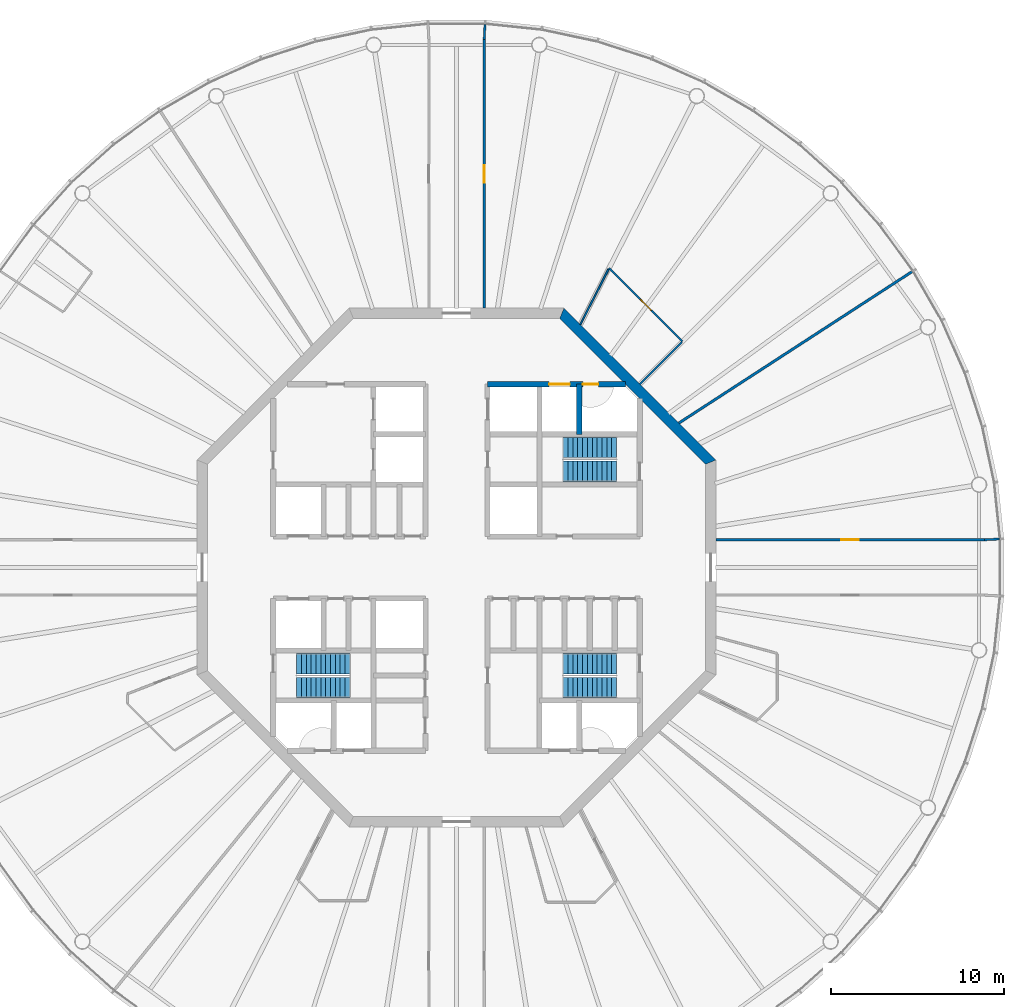
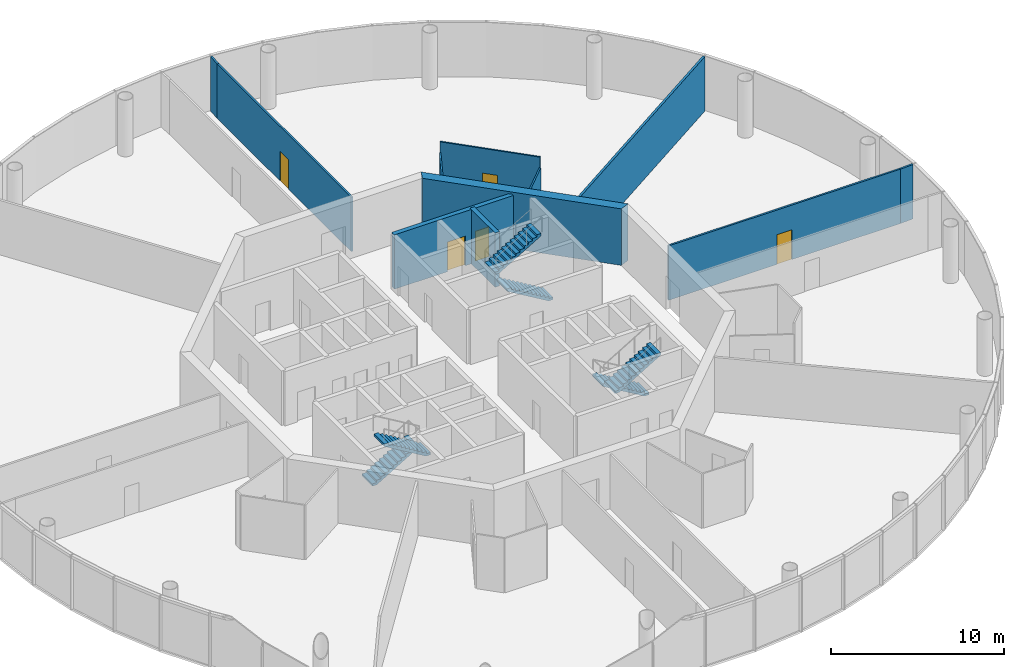
# One storey, part 6 of 13: 11 walls, 6 stair flights, 5 doors, 5 openings, 3 elements without a shape of their own.
"""IFC4 building model written with IfcOpenShell, lengths in metres."""

from ifc_helpers import new_model, si_unit, direction, frame, frame_2d, origin, place, context, subcontext, project, spatial, polyline, rectangle, outline, extrude, material, layer, layer_set, type_object, element, fill, aggregate, save


model = new_model("IFC4")

# Units and contexts
model_context = context("Model", 3, precision=1e-05, world=origin(), true_north=direction((0.0, 1.0)))
body_context = subcontext(model_context, "Body", "Model", "MODEL_VIEW")
ifc_project = project(units=[si_unit("LENGTHUNIT", "METRE"), si_unit("AREAUNIT", "SQUARE_METRE"), si_unit("VOLUMEUNIT", "CUBIC_METRE"), si_unit("PLANEANGLEUNIT", "RADIAN"), si_unit("MASSUNIT", "GRAM", prefix="KILO")], contexts=[model_context])

# Site, building, storey
site_placement = place(None, origin())
site = spatial("IfcSite", under=ifc_project, at=site_placement, CompositionType="ELEMENT")
building_placement = place(site_placement, origin())
building = spatial("IfcBuilding", under=site, at=building_placement, Name="Entoto Ring Tower", CompositionType="ELEMENT")
storey_placement = place(building_placement, frame((0.0, 0.0, 364.0)))
storey = spatial("IfcBuildingStorey", under=building, at=storey_placement, Name="L84", CompositionType="ELEMENT", Elevation=364.0)

# Wall
ifc_material_1 = material(Name="Concrete C40/50", Category="concrete")
ifc_layer_1 = layer(ifc_material_1, 0.300048828125)
ifc_layer_set_1 = layer_set([ifc_layer_1], Name="Concrete C40/50")
wall_type_1 = type_object("IfcWallType", Name="Core enclosure wall 300 mm reinforced concrete", PredefinedType="SOLIDWALL", material=ifc_layer_set_1)
wall_1_placement = place(storey_placement, frame((97.10009765625, 87.699951171875, 0.0), z_axis=(0.0, 0.0, 1.0), x_axis=(0.0, 1.0, 0.0)))
element("IfcWall", 1, at=wall_1_placement, inside=storey, type_object=wall_type_1, Name="wall-L84-006", PredefinedType="SOLIDWALL", context=body_context, shape_type="SweptSolid", body=[
    extrude(rectangle(XDim=2.900146484375, YDim=0.300048828125, at=frame_2d((1.4501953125, 0.0))), origin(), (0.0, 0.0, 1.0), 3.85009765625),
])

# Wall, openings, doors
wall_2_placement = place(storey_placement, frame((91.800048828125, 90.60009765625, 0.0), z_axis=(0.0, 0.0, 1.0), x_axis=(1.0, 0.0, 0.0)))
wall_2 = element("IfcWall", 2, at=wall_2_placement, inside=storey, type_object=wall_type_1, Name="wall-L84-041", PredefinedType="SOLIDWALL", context=body_context, shape_type="SweptSolid", body=[
    extrude(rectangle(XDim=7.964599609375, YDim=0.300048828125, at=frame_2d((3.982421875, 0.0))), origin(), (0.0, 0.0, 1.0), 3.85009765625),
])
opening_1_placement = place(wall_2_placement, frame((3.550048828125, 0.0, 0.0)))
opening_1 = element("IfcOpeningElement", 3, at=opening_1_placement, cuts=wall_2, Name="Opening LD", PredefinedType="OPENING", context=body_context, shape_type="SweptSolid", body=[
    extrude(rectangle(XDim=1.199951171875, YDim=2.10009765625, at=frame_2d((0.60009765625, 1.050048828125))), frame((0.0, 0.16015625, 0.0), z_axis=(0.0, -1.0, 0.0), x_axis=(1.0, 0.0, 0.0)), (0.0, 0.0, 1.0), 0.320068359375),
])
opening_2_placement = place(wall_2_placement, frame((5.5, 0.0, 0.0)))
opening_2 = element("IfcOpeningElement", 4, at=opening_2_placement, cuts=wall_2, Name="Opening K-32", PredefinedType="OPENING", context=body_context, shape_type="SweptSolid", body=[
    extrude(rectangle(XDim=0.89990234375, YDim=2.10009765625, at=frame_2d((0.449951171875, 1.050048828125))), frame((0.0, 0.16015625, 0.0), z_axis=(0.0, -1.0, 0.0), x_axis=(1.0, 0.0, 0.0)), (0.0, 0.0, 1.0), 0.320068359375),
])
ifc_material_2 = material(Name="Steel and glass door leaf", Category="steel")
ifc_layer_2 = layer(ifc_material_2, 0.050048828125)
ifc_layer_set_2 = layer_set([ifc_layer_2], Name="Steel and glass door leaf")
door_type_1 = type_object("IfcDoorType", Name="Landing door 1200 x 2100 sliding", OperationType="DOUBLE_DOOR_SLIDING", PredefinedType="DOOR", material=ifc_layer_set_2)
door_1_placement = place(opening_1_placement, origin())
door_1 = element("IfcDoor", 5, at=door_1_placement, inside=storey, type_object=door_type_1, Name="Landing door LB1-HR", OperationType="SLIDING_TO_RIGHT", OverallHeight=2.10009765625, OverallWidth=1.199951171875, PredefinedType="DOOR", context=body_context, shape_type="SweptSolid", body=[
    extrude(rectangle(XDim=1.199951171875, YDim=2.10009765625, at=frame_2d((0.60009765625, 1.050048828125))), frame((0.0, 0.02490234375, 0.0), z_axis=(0.0, -1.0, 0.0), x_axis=(1.0, 0.0, 0.0)), (0.0, 0.0, 1.0), 0.050048828125),
])
fill(opening_1, door_1)
ifc_material_3 = material(Name="Steel door leaf, fire rated", Category="steel")
ifc_layer_3 = layer(ifc_material_3, 0.050048828125)
ifc_layer_set_3 = layer_set([ifc_layer_3], Name="Steel door leaf, fire rated")
door_type_2 = type_object("IfcDoorType", Name="Riser door FD60 900 x 2100 single leaf", OperationType="NOTDEFINED", PredefinedType="DOOR", material=ifc_layer_set_3)
door_2_placement = place(opening_2_placement, frame((0.89990234375, 0.0, 0.0), z_axis=(0.0, 0.0, 1.0), x_axis=(-1.0, 0.0, 0.0)))
door_2 = element("IfcDoor", 6, at=door_2_placement, inside=storey, type_object=door_type_2, Name="Door K-32", OperationType="SINGLE_SWING_RIGHT", OverallHeight=2.10009765625, OverallWidth=0.89990234375, PredefinedType="DOOR", context=body_context, shape_type="SweptSolid", body=[
    extrude(rectangle(XDim=0.89990234375, YDim=2.10009765625, at=frame_2d((0.449951171875, 1.050048828125))), frame((0.0, 0.02490234375, 0.0), z_axis=(0.0, -1.0, 0.0), x_axis=(1.0, 0.0, 0.0)), (0.0, 0.0, 1.0), 0.050048828125),
])
fill(opening_2, door_2)

# Wall
ifc_material_4 = material(Name="Concrete C40/50", Category="concrete")
ifc_layer_4 = layer(ifc_material_4, 0.60009765625)
ifc_layer_set_4 = layer_set([ifc_layer_4], Name="Concrete C40/50")
wall_type_2 = type_object("IfcWallType", Name="Core shear wall 600 mm reinforced concrete C40/50", PredefinedType="SHEAR", material=ifc_layer_set_4)
wall_3_placement = place(storey_placement, frame((104.699951171875, 86.0888671875, 0.0), z_axis=(0.0, 0.0, 1.0), x_axis=(-0.707106781187, 0.707106781187, 0.0)))
element("IfcWall", 7, at=wall_3_placement, inside=storey, type_object=wall_type_2, Name="wall-L84-core-1", PredefinedType="SHEAR", context=body_context, shape_type="SweptSolid", body=[
    extrude(outline(polyline([(-0.124267578125, -0.300048828125), (12.30224609375, -0.300048828125), (12.0537109375, 0.300048828125), (0.124267578125, 0.300048828125), (-0.124267578125, -0.300048828125)])), origin(), (0.0, 0.0, 1.0), 4.0),
])

# Wall, opening, door
ifc_material_5 = material(Name="Fire-resisting plasterboard on steel studs", Category="steel")
ifc_layer_5 = layer(ifc_material_5, 0.125)
ifc_layer_set_5 = layer_set([ifc_layer_5], Name="Fire-resisting plasterboard on steel studs")
wall_type_3 = type_object("IfcWallType", Name="Corridor wall 125 mm one-hour plasterboard on steel studs", PredefinedType="PARTITIONING", material=ifc_layer_set_5)
wall_4_placement = place(storey_placement, frame((91.60009765625, 95.0, 0.0), z_axis=(0.0, 0.0, 1.0), x_axis=(0.0, 1.0, 0.0)))
wall_4 = element("IfcWall", 8, at=wall_4_placement, inside=storey, type_object=wall_type_3, Name="partition-L84-006", PredefinedType="PARTITIONING", context=body_context, shape_type="SweptSolid", body=[
    extrude(rectangle(XDim=15.52978515625, YDim=0.125, at=frame_2d((7.764892578125, 0.0))), origin(), (0.0, 0.0, 1.0), 3.85009765625),
])
opening_3_placement = place(wall_4_placement, frame((7.264892578125, 0.0, 0.0)))
opening_3 = element("IfcOpeningElement", 9, at=opening_3_placement, cuts=wall_4, Name="Opening A36-D02", PredefinedType="OPENING", context=body_context, shape_type="SweptSolid", body=[
    extrude(rectangle(XDim=1.0, YDim=2.10009765625, at=frame_2d((0.5, 1.050048828125))), frame((0.0, 0.072509765625, 0.0), z_axis=(0.0, -1.0, 0.0), x_axis=(1.0, 0.0, 0.0)), (0.0, 0.0, 1.0), 0.14501953125),
])
ifc_material_6 = material(Name="Fire-resisting timber door set", Category="wood")
door_type_3 = type_object("IfcDoorType", Name="Door 1000 x 2100 single leaf FD30S fire door", OperationType="NOTDEFINED", PredefinedType="DOOR", material=ifc_material_6)
door_3_placement = place(opening_3_placement, frame((1.0, 0.0, 0.0), z_axis=(0.0, 0.0, 1.0), x_axis=(-1.0, 0.0, 0.0)))
door_3 = element("IfcDoor", 10, at=door_3_placement, inside=storey, type_object=door_type_3, Name="Door A36-D02", OperationType="SINGLE_SWING_RIGHT", OverallHeight=2.10009765625, OverallWidth=1.0, PredefinedType="DOOR", context=body_context, shape_type="SweptSolid", body=[
    extrude(rectangle(XDim=1.0, YDim=2.10009765625, at=frame_2d((0.5, 1.050048828125))), frame((0.0, 0.02490234375, 0.0), z_axis=(0.0, -1.0, 0.0), x_axis=(1.0, 0.0, 0.0)), (0.0, 0.0, 1.0), 0.050048828125),
])
fill(opening_3, door_3)

wall_5_placement = place(storey_placement, frame((105.0, 81.60009765625, 0.0), z_axis=(0.0, 0.0, 1.0), x_axis=(1.0, 0.0, 0.0)))
wall_5 = element("IfcWall", 11, at=wall_5_placement, inside=storey, type_object=wall_type_3, Name="partition-L84-008", PredefinedType="PARTITIONING", context=body_context, shape_type="SweptSolid", body=[
    extrude(rectangle(XDim=15.52978515625, YDim=0.125, at=frame_2d((7.764892578125, 0.0))), origin(), (0.0, 0.0, 1.0), 3.85009765625),
])
opening_4_placement = place(wall_5_placement, frame((7.264892578125, 0.0, 0.0)))
opening_4 = element("IfcOpeningElement", 12, at=opening_4_placement, cuts=wall_5, Name="Opening A36-D01", PredefinedType="OPENING", context=body_context, shape_type="SweptSolid", body=[
    extrude(rectangle(XDim=1.0, YDim=2.10009765625, at=frame_2d((0.5, 1.050048828125))), frame((0.0, 0.072509765625, 0.0), z_axis=(0.0, -1.0, 0.0), x_axis=(1.0, 0.0, 0.0)), (0.0, 0.0, 1.0), 0.14501953125),
])
door_4_placement = place(opening_4_placement, origin())
door_4 = element("IfcDoor", 13, at=door_4_placement, inside=storey, type_object=door_type_3, Name="Door A36-D01", OperationType="SINGLE_SWING_LEFT", OverallHeight=2.10009765625, OverallWidth=1.0, PredefinedType="DOOR", context=body_context, shape_type="SweptSolid", body=[
    extrude(rectangle(XDim=1.0, YDim=2.10009765625, at=frame_2d((0.5, 1.050048828125))), frame((0.0, 0.02490234375, 0.0), z_axis=(0.0, -1.0, 0.0), x_axis=(1.0, 0.0, 0.0)), (0.0, 0.0, 1.0), 0.050048828125),
])
fill(opening_4, door_4)

# Walls
for number, where, z_axis, x_axis, name in (
    (14, (91.60009765625, 110.533203125, 0.0), (0.0, 0.0, 1.0), (0.052499574911, 0.998620946423, 0.0), "partition-L84-013"),
    (15, (120.533203125, 81.60009765625, 0.0), (0.0, 0.0, 1.0), (0.998620946423, 0.052499574911, 0.0), "partition-L84-015"),
):
    element("IfcWall", number, at=place(storey_placement, frame(where, z_axis=z_axis, x_axis=x_axis)), inside=storey, type_object=wall_type_3, Name=name, PredefinedType="PARTITIONING", context=body_context, shape_type="SweptSolid", body=[
        extrude(rectangle(XDim=0.864990234375, YDim=0.125, at=frame_2d((0.4326171875, 0.0))), origin(), (0.0, 0.0, 1.0), 3.85009765625),
    ])

# Wall, opening, door
ifc_material_7 = material(Name="Plasterboard on steel studs", Category="steel")
ifc_layer_6 = layer(ifc_material_7, 0.10009765625)
ifc_layer_set_6 = layer_set([ifc_layer_6], Name="Plasterboard on steel studs")
wall_type_4 = type_object("IfcWallType", Name="Partition 100 mm plasterboard on steel studs", PredefinedType="PARTITIONING", material=ifc_layer_set_6)
wall_6_placement = place(storey_placement, frame((103.0673828125, 93.0673828125, 0.0), z_axis=(0.0, 0.0, 1.0), x_axis=(-0.707106781187, 0.707106781187, 0.0)))
wall_6 = element("IfcWall", 16, at=wall_6_placement, inside=storey, type_object=wall_type_4, Name="partition-L84-021", PredefinedType="PARTITIONING", context=body_context, shape_type="SweptSolid", body=[
    extrude(rectangle(XDim=6.004638671875, YDim=0.10009765625, at=frame_2d((3.00244140625, 0.0))), origin(), (0.0, 0.0, 1.0), 3.85009765625),
])
opening_5_placement = place(wall_6_placement, frame((2.55224609375, 0.0, 0.0)))
opening_5 = element("IfcOpeningElement", 17, at=opening_5_placement, cuts=wall_6, Name="Opening A36-D03", PredefinedType="OPENING", context=body_context, shape_type="SweptSolid", body=[
    extrude(rectangle(XDim=0.89990234375, YDim=2.10009765625, at=frame_2d((0.449951171875, 1.050048828125))), frame((0.0, 0.06005859375, 0.0), z_axis=(0.0, -1.0, 0.0), x_axis=(1.0, 0.0, 0.0)), (0.0, 0.0, 1.0), 0.1201171875),
])
ifc_material_8 = material(Name="Veneered timber door leaf in timber frame", Category="wood")
door_type_4 = type_object("IfcDoorType", Name="Door 900 x 2100 single leaf timber veneer", OperationType="NOTDEFINED", PredefinedType="DOOR", material=ifc_material_8)
door_5_placement = place(opening_5_placement, origin())
door_5 = element("IfcDoor", 18, at=door_5_placement, inside=storey, type_object=door_type_4, Name="Door A36-D03", OperationType="SINGLE_SWING_RIGHT", OverallHeight=2.10009765625, OverallWidth=0.89990234375, PredefinedType="DOOR", context=body_context, shape_type="SweptSolid", body=[
    extrude(rectangle(XDim=0.89990234375, YDim=2.10009765625, at=frame_2d((0.449951171875, 1.050048828125))), frame((0.0, 0.02490234375, 0.0), z_axis=(0.0, -1.0, 0.0), x_axis=(1.0, 0.0, 0.0)), (0.0, 0.0, 1.0), 0.050048828125),
])
fill(opening_5, door_5)

# Walls
ifc_material_9 = material(Name="Plasterboard on steel studs", Category="steel")
ifc_layer_7 = layer(ifc_material_9, 0.10009765625)
ifc_layer_set_7 = layer_set([ifc_layer_7], Name="Plasterboard on steel studs")
wall_type_5 = type_object("IfcWallType", Name="Partition 100 mm plasterboard on steel studs, 3097 mm high", PredefinedType="PARTITIONING", material=ifc_layer_set_7)
wall_7_placement = place(storey_placement, frame((97.160400390625, 94.052978515625, 0.0), z_axis=(0.0, 0.0, 1.0), x_axis=(0.453973658127, 0.891015105218, 0.0)))
element("IfcWall", 19, at=wall_7_placement, inside=storey, type_object=wall_type_5, Name="partition-L84-033", PredefinedType="PARTITIONING", context=body_context, shape_type="SweptSolid", body=[
    extrude(rectangle(XDim=3.59033203125, YDim=0.10009765625, at=frame_2d((1.795166015625, 0.0))), origin(), (0.0, 0.0, 1.0), 3.096923828125),
])
wall_8_placement = place(storey_placement, frame((100.606689453125, 90.606689453125, 0.0), z_axis=(0.0, 0.0, 1.0), x_axis=(0.707106781187, 0.707106781187, 0.0)))
element("IfcWall", 20, at=wall_8_placement, inside=storey, type_object=wall_type_5, Name="partition-L84-034", PredefinedType="PARTITIONING", context=body_context, shape_type="SweptSolid", body=[
    extrude(rectangle(XDim=3.429931640625, YDim=0.10009765625, at=frame_2d((1.71484375, 0.0))), origin(), (0.0, 0.0, 1.0), 3.096923828125),
])
ifc_material_10 = material(Name="Fire-resisting acoustic plasterboard on steel studs", Category="steel")
ifc_layer_8 = layer(ifc_material_10, 0.14990234375)
ifc_layer_set_8 = layer_set([ifc_layer_8], Name="Fire-resisting acoustic plasterboard on steel studs")
wall_type_6 = type_object("IfcWallType", Name="Party wall 150 mm one-hour acoustic plasterboard on steel studs", PredefinedType="PARTITIONING", material=ifc_layer_set_8)
wall_9_placement = place(storey_placement, frame((102.861083984375, 88.35205078125, 0.0), z_axis=(0.0, 0.0, 1.0), x_axis=(0.838669360937, 0.54464089364, 0.0)))
element("IfcWall", 21, at=wall_9_placement, inside=storey, type_object=wall_type_6, Name="partition-L84-020", PredefinedType="PARTITIONING", context=body_context, shape_type="SweptSolid", body=[
    extrude(rectangle(XDim=16.10498046875, YDim=0.14990234375, at=frame_2d((8.052490234375, 0.0))), origin(), (0.0, 0.0, 1.0), 3.85009765625),
])

# Stair, stair flights
ifc_material_11 = material(Name="Concrete C40/50", Category="concrete")
stair_type = type_object("IfcStairType", Name="Exit stair 1200 mm dog-leg reinforced concrete", PredefinedType="HALF_TURN_STAIR", material=ifc_material_11)
stair_1_placement = place(storey_placement, origin())
stair_1 = element("IfcStair", 22, at=stair_1_placement, inside=storey, type_object=stair_type, Name="Exit stair 1", PredefinedType="HALF_TURN_STAIR")
ifc_material_12 = material(Name="Concrete C40/50", Category="concrete")
stair_flight_type = type_object("IfcStairFlightType", Name="Stair flight 1200 mm reinforced concrete", PredefinedType="STRAIGHT", material=ifc_material_12)
stair_flight_1_placement = place(storey_placement, frame((99.25, 85.550048828125, 0.0), z_axis=(0.0, 0.0, 1.0), x_axis=(-1.0, 0.0, 0.0)))
stair_flight_1 = element("IfcStairFlight", 23, at=stair_flight_1_placement, type_object=stair_flight_type, Name="ST1 flight 1", NumberOfRisers=12, NumberOfTreads=11, PredefinedType="STRAIGHT", RiserHeight=0.166666667, TreadLength=0.28, context=body_context, shape_type="SweptSolid", body=[
    extrude(outline(polyline([(0.0, 0.0), (0.0, 0.166748046875), (0.280029296875, 0.166748046875), (0.280029296875, 0.333251953125), (0.56005859375, 0.333251953125), (0.56005859375, 0.5), (0.840087890625, 0.5), (0.840087890625, 0.666748046875), (1.1201171875, 0.666748046875), (1.1201171875, 0.833251953125), (1.39990234375, 0.833251953125), (1.39990234375, 1.0), (1.679931640625, 1.0), (1.679931640625, 1.166748046875), (1.9599609375, 1.166748046875), (1.9599609375, 1.333251953125), (2.239990234375, 1.333251953125), (2.239990234375, 1.5), (2.52001953125, 1.5), (2.52001953125, 1.666748046875), (2.800048828125, 1.666748046875), (2.800048828125, 1.833251953125), (3.080078125, 1.833251953125), (3.080078125, 2.0), (3.080078125, 1.658935546875), (0.29296875, 0.0), (0.0, 0.0)])), frame((0.0, 0.60009765625, 0.0), z_axis=(0.0, -1.0, 0.0), x_axis=(1.0, 0.0, 0.0)), (0.0, 0.0, 1.0), 1.199951171875),
])
stair_flight_2_placement = place(storey_placement, frame((96.169921875, 86.949951171875, 2.0), z_axis=(0.0, 0.0, 1.0), x_axis=(1.0, 0.0, 0.0)))
stair_flight_2 = element("IfcStairFlight", 24, at=stair_flight_2_placement, type_object=stair_flight_type, Name="ST1 flight 2", NumberOfRisers=12, NumberOfTreads=11, PredefinedType="STRAIGHT", RiserHeight=0.166666667, TreadLength=0.28, context=body_context, shape_type="SweptSolid", body=[
    extrude(outline(polyline([(0.0, 0.0), (0.0, 0.166748046875), (0.280029296875, 0.166748046875), (0.280029296875, 0.333251953125), (0.56005859375, 0.333251953125), (0.56005859375, 0.5), (0.840087890625, 0.5), (0.840087890625, 0.666748046875), (1.1201171875, 0.666748046875), (1.1201171875, 0.833251953125), (1.39990234375, 0.833251953125), (1.39990234375, 1.0), (1.679931640625, 1.0), (1.679931640625, 1.166748046875), (1.9599609375, 1.166748046875), (1.9599609375, 1.333251953125), (2.239990234375, 1.333251953125), (2.239990234375, 1.5), (2.52001953125, 1.5), (2.52001953125, 1.666748046875), (2.800048828125, 1.666748046875), (2.800048828125, 1.833251953125), (3.080078125, 1.833251953125), (3.080078125, 2.0), (3.080078125, 1.658935546875), (0.29296875, 0.0), (0.0, 0.0)])), frame((0.0, 0.60009765625, 0.0), z_axis=(0.0, -1.0, 0.0), x_axis=(1.0, 0.0, 0.0)), (0.0, 0.0, 1.0), 1.199951171875),
])
aggregate(stair_1, [stair_flight_1, stair_flight_2])

stair_2_placement = place(storey_placement, origin())
stair_2 = element("IfcStair", 25, at=stair_2_placement, inside=storey, type_object=stair_type, Name="Exit stair 2", PredefinedType="HALF_TURN_STAIR")
stair_flight_3_placement = place(storey_placement, frame((80.75, 74.449951171875, 0.0), z_axis=(0.0, 0.0, 1.0), x_axis=(1.0, 0.0, 0.0)))
stair_flight_3 = element("IfcStairFlight", 26, at=stair_flight_3_placement, type_object=stair_flight_type, Name="ST2 flight 1", NumberOfRisers=12, NumberOfTreads=11, PredefinedType="STRAIGHT", RiserHeight=0.166666667, TreadLength=0.28, context=body_context, shape_type="SweptSolid", body=[
    extrude(outline(polyline([(0.0, 0.0), (0.0, 0.166748046875), (0.280029296875, 0.166748046875), (0.280029296875, 0.333251953125), (0.56005859375, 0.333251953125), (0.56005859375, 0.5), (0.840087890625, 0.5), (0.840087890625, 0.666748046875), (1.1201171875, 0.666748046875), (1.1201171875, 0.833251953125), (1.39990234375, 0.833251953125), (1.39990234375, 1.0), (1.679931640625, 1.0), (1.679931640625, 1.166748046875), (1.9599609375, 1.166748046875), (1.9599609375, 1.333251953125), (2.239990234375, 1.333251953125), (2.239990234375, 1.5), (2.52001953125, 1.5), (2.52001953125, 1.666748046875), (2.800048828125, 1.666748046875), (2.800048828125, 1.833251953125), (3.080078125, 1.833251953125), (3.080078125, 2.0), (3.080078125, 1.658935546875), (0.29296875, 0.0), (0.0, 0.0)])), frame((0.0, 0.60009765625, 0.0), z_axis=(0.0, -1.0, 0.0), x_axis=(1.0, 0.0, 0.0)), (0.0, 0.0, 1.0), 1.199951171875),
])
stair_flight_4_placement = place(storey_placement, frame((83.830078125, 73.050048828125, 2.0), z_axis=(0.0, 0.0, 1.0), x_axis=(-1.0, 0.0, 0.0)))
stair_flight_4 = element("IfcStairFlight", 27, at=stair_flight_4_placement, type_object=stair_flight_type, Name="ST2 flight 2", NumberOfRisers=12, NumberOfTreads=11, PredefinedType="STRAIGHT", RiserHeight=0.166666667, TreadLength=0.28, context=body_context, shape_type="SweptSolid", body=[
    extrude(outline(polyline([(0.0, 0.0), (0.0, 0.166748046875), (0.280029296875, 0.166748046875), (0.280029296875, 0.333251953125), (0.56005859375, 0.333251953125), (0.56005859375, 0.5), (0.840087890625, 0.5), (0.840087890625, 0.666748046875), (1.1201171875, 0.666748046875), (1.1201171875, 0.833251953125), (1.39990234375, 0.833251953125), (1.39990234375, 1.0), (1.679931640625, 1.0), (1.679931640625, 1.166748046875), (1.9599609375, 1.166748046875), (1.9599609375, 1.333251953125), (2.239990234375, 1.333251953125), (2.239990234375, 1.5), (2.52001953125, 1.5), (2.52001953125, 1.666748046875), (2.800048828125, 1.666748046875), (2.800048828125, 1.833251953125), (3.080078125, 1.833251953125), (3.080078125, 2.0), (3.080078125, 1.658935546875), (0.29296875, 0.0), (0.0, 0.0)])), frame((0.0, 0.60009765625, 0.0), z_axis=(0.0, -1.0, 0.0), x_axis=(1.0, 0.0, 0.0)), (0.0, 0.0, 1.0), 1.199951171875),
])
aggregate(stair_2, [stair_flight_3, stair_flight_4])

stair_3_placement = place(storey_placement, origin())
stair_3 = element("IfcStair", 28, at=stair_3_placement, inside=storey, type_object=stair_type, Name="Exit stair 3", PredefinedType="HALF_TURN_STAIR")
stair_flight_5_placement = place(storey_placement, frame((99.25, 74.449951171875, 0.0), z_axis=(0.0, 0.0, 1.0), x_axis=(-1.0, 0.0, 0.0)))
stair_flight_5 = element("IfcStairFlight", 29, at=stair_flight_5_placement, type_object=stair_flight_type, Name="ST3 flight 1", NumberOfRisers=12, NumberOfTreads=11, PredefinedType="STRAIGHT", RiserHeight=0.166666667, TreadLength=0.28, context=body_context, shape_type="SweptSolid", body=[
    extrude(outline(polyline([(0.0, 0.0), (0.0, 0.166748046875), (0.280029296875, 0.166748046875), (0.280029296875, 0.333251953125), (0.56005859375, 0.333251953125), (0.56005859375, 0.5), (0.840087890625, 0.5), (0.840087890625, 0.666748046875), (1.1201171875, 0.666748046875), (1.1201171875, 0.833251953125), (1.39990234375, 0.833251953125), (1.39990234375, 1.0), (1.679931640625, 1.0), (1.679931640625, 1.166748046875), (1.9599609375, 1.166748046875), (1.9599609375, 1.333251953125), (2.239990234375, 1.333251953125), (2.239990234375, 1.5), (2.52001953125, 1.5), (2.52001953125, 1.666748046875), (2.800048828125, 1.666748046875), (2.800048828125, 1.833251953125), (3.080078125, 1.833251953125), (3.080078125, 2.0), (3.080078125, 1.658935546875), (0.29296875, 0.0), (0.0, 0.0)])), frame((0.0, 0.60009765625, 0.0), z_axis=(0.0, -1.0, 0.0), x_axis=(1.0, 0.0, 0.0)), (0.0, 0.0, 1.0), 1.199951171875),
])
stair_flight_6_placement = place(storey_placement, frame((96.169921875, 73.050048828125, 2.0), z_axis=(0.0, 0.0, 1.0), x_axis=(1.0, 0.0, 0.0)))
stair_flight_6 = element("IfcStairFlight", 30, at=stair_flight_6_placement, type_object=stair_flight_type, Name="ST3 flight 2", NumberOfRisers=12, NumberOfTreads=11, PredefinedType="STRAIGHT", RiserHeight=0.166666667, TreadLength=0.28, context=body_context, shape_type="SweptSolid", body=[
    extrude(outline(polyline([(0.0, 0.0), (0.0, 0.166748046875), (0.280029296875, 0.166748046875), (0.280029296875, 0.333251953125), (0.56005859375, 0.333251953125), (0.56005859375, 0.5), (0.840087890625, 0.5), (0.840087890625, 0.666748046875), (1.1201171875, 0.666748046875), (1.1201171875, 0.833251953125), (1.39990234375, 0.833251953125), (1.39990234375, 1.0), (1.679931640625, 1.0), (1.679931640625, 1.166748046875), (1.9599609375, 1.166748046875), (1.9599609375, 1.333251953125), (2.239990234375, 1.333251953125), (2.239990234375, 1.5), (2.52001953125, 1.5), (2.52001953125, 1.666748046875), (2.800048828125, 1.666748046875), (2.800048828125, 1.833251953125), (3.080078125, 1.833251953125), (3.080078125, 2.0), (3.080078125, 1.658935546875), (0.29296875, 0.0), (0.0, 0.0)])), frame((0.0, 0.60009765625, 0.0), z_axis=(0.0, -1.0, 0.0), x_axis=(1.0, 0.0, 0.0)), (0.0, 0.0, 1.0), 1.199951171875),
])
aggregate(stair_3, [stair_flight_5, stair_flight_6])

save(model, "model.ifc")
